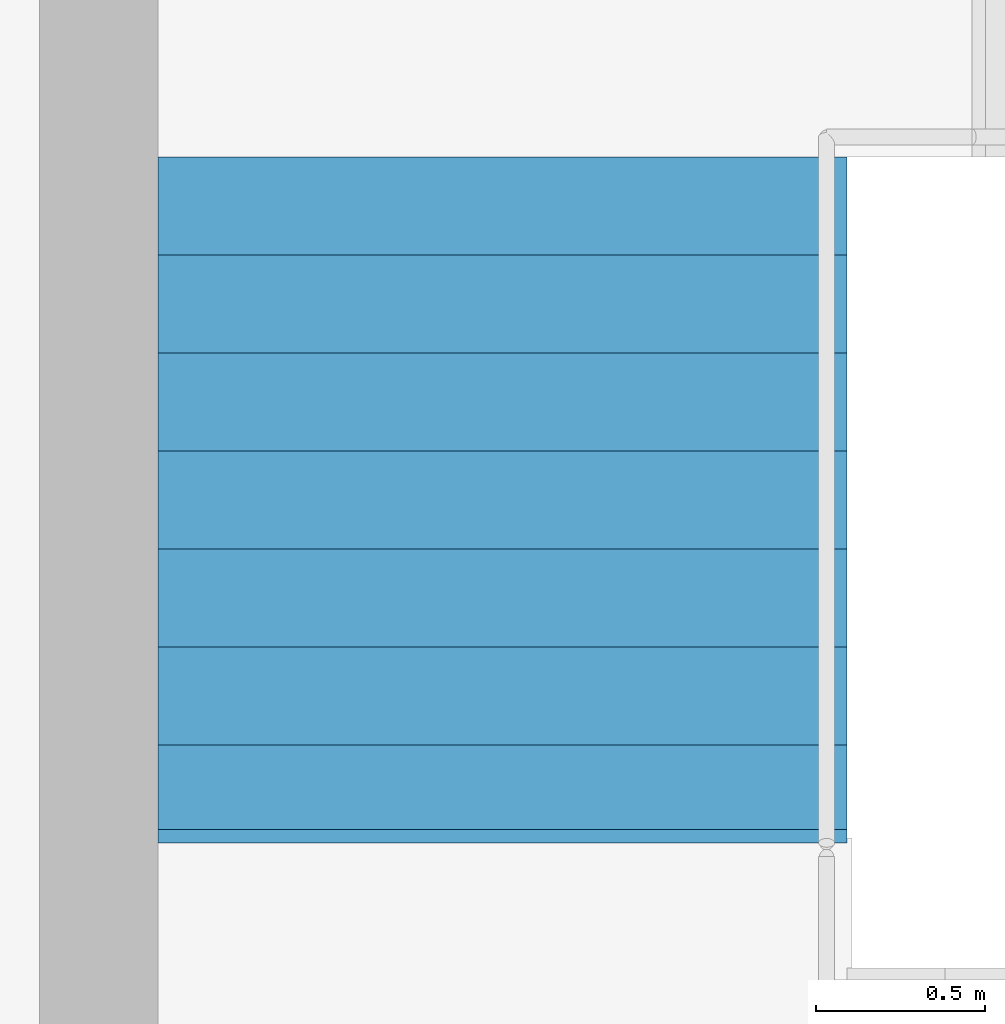
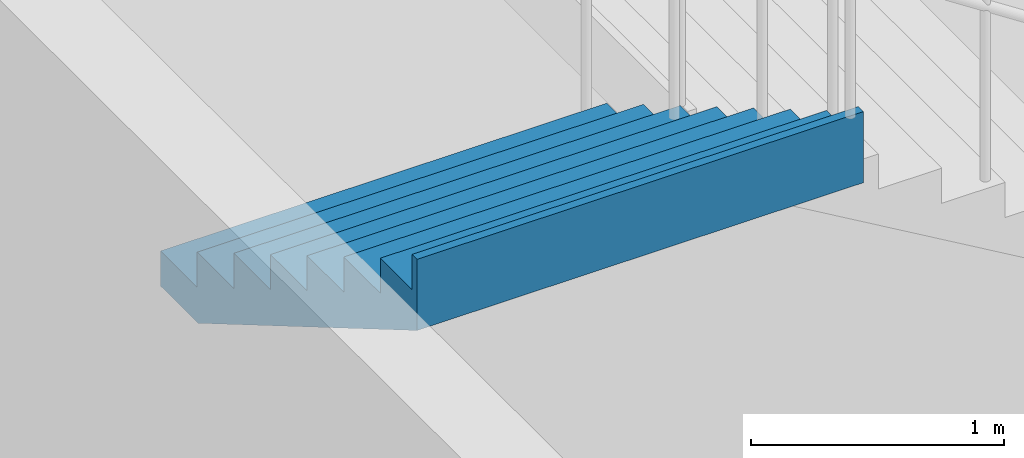
# One storey, part 58 of 74: 1 stair flight, 1 element without a shape of its own.
"""IFC4 building model written with IfcOpenShell, lengths in metres."""

from ifc_helpers import new_model, si_unit, direction, frame, origin, place, context, subcontext, project, spatial, triangles, material, type_object, element, aggregate, save


model = new_model("IFC4")

# Units and contexts
model_context = context("Model", 3, precision=1e-05, world=origin(), true_north=direction((0.0, 1.0)))
body_context = subcontext(model_context, "Body", "Model", "MODEL_VIEW")
ifc_project = project(units=[si_unit("LENGTHUNIT", "METRE"), si_unit("AREAUNIT", "SQUARE_METRE"), si_unit("VOLUMEUNIT", "CUBIC_METRE"), si_unit("PLANEANGLEUNIT", "RADIAN"), si_unit("MASSUNIT", "GRAM", prefix="KILO")], contexts=[model_context])

# Site, building, storey
site_placement = place(None, origin())
site = spatial("IfcSite", under=ifc_project, at=site_placement, CompositionType="ELEMENT")
building_placement = place(site_placement, origin())
building = spatial("IfcBuilding", under=site, at=building_placement, Name="Sillaruma Civic Art Gallery", CompositionType="ELEMENT")
storey_placement = place(building_placement, frame((0.0, 0.0, 5.43994140625)))
storey = spatial("IfcBuildingStorey", under=building, at=storey_placement, Name="L01", CompositionType="ELEMENT", Elevation=5.43994140625)

# Stair, stair flight
ifc_material = material(Name="Concrete H35 (35 MPa)", Category="concrete")
stair_type = type_object("IfcStairType", Name="STR-4F-32", PredefinedType="USERDEFINED", material=ifc_material)
stair_placement = place(storey_placement, origin())
stair = element("IfcStair", 1, at=stair_placement, inside=storey, type_object=stair_type, Name="Protected Exit Stair ST-02 (West Bar North) (L01)", ObjectType="THREE_RETURN_STAIR", PredefinedType="USERDEFINED")
stair_flight_type = type_object("IfcStairFlightType", Name="SFL-STR-8", PredefinedType="STRAIGHT", material=ifc_material)
stair_flight_placement = place(storey_placement, frame((63.780029296875, 85.35009765625, 4.080078125), z_axis=(0.0, 0.0, 1.0), x_axis=(0.0, -1.0, 0.0)))
stair_flight = element("IfcStairFlight", 2, at=stair_flight_placement, type_object=stair_flight_type, Name="ST-02 flight 4", NumberOfRisers=8, NumberOfTreads=7, PredefinedType="STRAIGHT", RiserHeight=0.17, TreadLength=0.29, context=body_context, shape_type="Tessellation", body=[
    triangles([(0.0, -1.02001953125, 0.0), (0.29, -1.02001953125, 0.0), (0.296443, -1.02001953125, 0.0), (0.58, -1.02001953125, 0.166223), (0.87, -1.02001953125, 0.336223), (1.16, -1.02001953125, 0.506223), (1.45, -1.02001953125, 0.676223), (1.74, -1.02001953125, 0.846223), (1.990029, -1.02001953125, 0.992792), (2.030029, -1.02001953125, 1.01624), (2.030029, -1.02001953125, 1.36), (1.990029, -1.02001953125, 1.36), (1.990029, -1.02001953125, 1.19), (1.74, -1.02001953125, 1.19), (1.74, -1.02001953125, 1.02), (1.45, -1.02001953125, 1.02), (1.45, -1.02001953125, 0.85), (1.16, -1.02001953125, 0.85), (1.16, -1.02001953125, 0.68), (0.87, -1.02001953125, 0.68), (0.87, -1.02001953125, 0.51), (0.58, -1.02001953125, 0.51), (0.58, -1.02001953125, 0.34), (0.296443, -1.02001953125, 0.34), (0.29, -1.02001953125, 0.34), (0.29, -1.02001953125, 0.17), (0.0, -1.02001953125, 0.17), (0.0, -0.05, 0.0), (0.29, -0.05, 0.0), (0.296443, -0.05, 0.0), (0.58, -0.05, 0.166223), (0.87, -0.05, 0.336223), (1.16, -0.05, 0.506223), (1.45, -0.05, 0.676223), (1.74, -0.05, 0.846223), (1.990029, -0.05, 0.992792), (2.030029, -0.05, 1.01624), (2.030029, -0.05, 1.36), (1.990029, -0.05, 1.36), (1.990029, -0.05, 1.19), (1.74, -0.05, 1.19), (1.74, -0.05, 1.02), (1.45, -0.05, 1.02), (1.45, -0.05, 0.85), (1.16, -0.05, 0.85), (1.16, -0.05, 0.68), (0.87, -0.05, 0.68), (0.87, -0.05, 0.51), (0.58, -0.05, 0.51), (0.58, -0.05, 0.34), (0.296443, -0.05, 0.34), (0.29, -0.05, 0.34), (0.29, -0.05, 0.17), (0.0, -0.05, 0.17), (0.0, -0.0375, 0.0), (0.29, -0.0375, 0.0), (0.296443, -0.0375, 0.0), (0.58, -0.0375, 0.166223), (0.87, -0.0375, 0.336223), (1.16, -0.0375, 0.506223), (1.45, -0.0375, 0.676223), (1.74, -0.0375, 0.846223), (1.990029, -0.0375, 0.992792), (2.030029, -0.0375, 1.01624), (2.030029, -0.0375, 1.36), (1.990029, -0.0375, 1.36), (1.990029, -0.0375, 1.19), (1.74, -0.0375, 1.19), (1.74, -0.0375, 1.02), (1.45, -0.0375, 1.02), (1.45, -0.0375, 0.85), (1.16, -0.0375, 0.85), (1.16, -0.0375, 0.68), (0.87, -0.0375, 0.68), (0.87, -0.0375, 0.51), (0.58, -0.0375, 0.51), (0.58, -0.0375, 0.34), (0.296443, -0.0375, 0.34), (0.29, -0.0375, 0.34), (0.29, -0.0375, 0.17), (0.0, -0.0375, 0.17), (0.0, -0.025, 0.0), (0.29, -0.025, 0.0), (0.296443, -0.025, 0.0), (0.58, -0.025, 0.166223), (0.87, -0.025, 0.336223), (1.16, -0.025, 0.506223), (1.45, -0.025, 0.676223), (1.74, -0.025, 0.846223), (1.990029, -0.025, 0.992792), (2.030029, -0.025, 1.01624), (2.030029, -0.025, 1.36), (1.990029, -0.025, 1.36), (1.990029, -0.025, 1.19), (1.74, -0.025, 1.19), (1.74, -0.025, 1.02), (1.45, -0.025, 1.02), (1.45, -0.025, 0.85), (1.16, -0.025, 0.85), (1.16, -0.025, 0.68), (0.87, -0.025, 0.68), (0.87, -0.025, 0.51), (0.58, -0.025, 0.51), (0.58, -0.025, 0.34), (0.296443, -0.025, 0.34), (0.29, -0.025, 0.34), (0.29, -0.025, 0.17), (0.0, -0.025, 0.17), (0.0, -0.0125, 0.0), (0.29, -0.0125, 0.0), (0.296443, -0.0125, 0.0), (0.58, -0.0125, 0.166223), (0.87, -0.0125, 0.336223), (1.16, -0.0125, 0.506223), (1.45, -0.0125, 0.676223), (1.74, -0.0125, 0.846223), (1.990029, -0.0125, 0.992792), (2.030029, -0.0125, 1.01624), (2.030029, -0.0125, 1.36), (1.990029, -0.0125, 1.36), (1.990029, -0.0125, 1.19), (1.74, -0.0125, 1.19), (1.74, -0.0125, 1.02), (1.45, -0.0125, 1.02), (1.45, -0.0125, 0.85), (1.16, -0.0125, 0.85), (1.16, -0.0125, 0.68), (0.87, -0.0125, 0.68), (0.87, -0.0125, 0.51), (0.58, -0.0125, 0.51), (0.58, -0.0125, 0.34), (0.296443, -0.0125, 0.34), (0.29, -0.0125, 0.34), (0.29, -0.0125, 0.17), (0.0, -0.0125, 0.17), (0.0, 0.0, 0.0), (0.29, 0.0, 0.0), (0.296443, 0.0, 0.0), (0.58, 0.0, 0.166223), (0.87, 0.0, 0.336223), (1.16, 0.0, 0.506223), (1.45, 0.0, 0.676223), (1.74, 0.0, 0.846223), (1.990029, 0.0, 0.992792), (2.030029, 0.0, 1.01624), (2.030029, 0.0, 1.36), (1.990029, 0.0, 1.36), (1.990029, 0.0, 1.19), (1.74, 0.0, 1.19), (1.74, 0.0, 1.02), (1.45, 0.0, 1.02), (1.45, 0.0, 0.85), (1.16, 0.0, 0.85), (1.16, 0.0, 0.68), (0.87, 0.0, 0.68), (0.87, 0.0, 0.51), (0.58, 0.0, 0.51), (0.58, 0.0, 0.34), (0.296443, 0.0, 0.34), (0.29, 0.0, 0.34), (0.29, 0.0, 0.17), (0.0, 0.0, 0.17), (0.0, 0.0125, 0.0), (0.29, 0.0125, 0.0), (0.296443, 0.0125, 0.0), (0.58, 0.0125, 0.166223), (0.87, 0.0125, 0.336223), (1.16, 0.0125, 0.506223), (1.45, 0.0125, 0.676223), (1.74, 0.0125, 0.846223), (1.990029, 0.0125, 0.992792), (2.030029, 0.0125, 1.01624), (2.030029, 0.0125, 1.36), (1.990029, 0.0125, 1.36), (1.990029, 0.0125, 1.19), (1.74, 0.0125, 1.19), (1.74, 0.0125, 1.02), (1.45, 0.0125, 1.02), (1.45, 0.0125, 0.85), (1.16, 0.0125, 0.85), (1.16, 0.0125, 0.68), (0.87, 0.0125, 0.68), (0.87, 0.0125, 0.51), (0.58, 0.0125, 0.51), (0.58, 0.0125, 0.34), (0.296443, 0.0125, 0.34), (0.29, 0.0125, 0.34), (0.29, 0.0125, 0.17), (0.0, 0.0125, 0.17), (0.0, 0.025, 0.0), (0.29, 0.025, 0.0), (0.296443, 0.025, 0.0), (0.58, 0.025, 0.166223), (0.87, 0.025, 0.336223), (1.16, 0.025, 0.506223), (1.45, 0.025, 0.676223), (1.74, 0.025, 0.846223), (1.990029, 0.025, 0.992792), (2.030029, 0.025, 1.01624), (2.030029, 0.025, 1.36), (1.990029, 0.025, 1.36), (1.990029, 0.025, 1.19), (1.74, 0.025, 1.19), (1.74, 0.025, 1.02), (1.45, 0.025, 1.02), (1.45, 0.025, 0.85), (1.16, 0.025, 0.85), (1.16, 0.025, 0.68), (0.87, 0.025, 0.68), (0.87, 0.025, 0.51), (0.58, 0.025, 0.51), (0.58, 0.025, 0.34), (0.296443, 0.025, 0.34), (0.29, 0.025, 0.34), (0.29, 0.025, 0.17), (0.0, 0.025, 0.17), (0.0, 0.0375, 0.0), (0.29, 0.0375, 0.0), (0.296443, 0.0375, 0.0), (0.58, 0.0375, 0.166223), (0.87, 0.0375, 0.336223), (1.16, 0.0375, 0.506223), (1.45, 0.0375, 0.676223), (1.74, 0.0375, 0.846223), (1.990029, 0.0375, 0.992792), (2.030029, 0.0375, 1.01624), (2.030029, 0.0375, 1.36), (1.990029, 0.0375, 1.36), (1.990029, 0.0375, 1.19), (1.74, 0.0375, 1.19), (1.74, 0.0375, 1.02), (1.45, 0.0375, 1.02), (1.45, 0.0375, 0.85), (1.16, 0.0375, 0.85), (1.16, 0.0375, 0.68), (0.87, 0.0375, 0.68), (0.87, 0.0375, 0.51), (0.58, 0.0375, 0.51), (0.58, 0.0375, 0.34), (0.296443, 0.0375, 0.34), (0.29, 0.0375, 0.34), (0.29, 0.0375, 0.17), (0.0, 0.0375, 0.17), (0.0, 0.05, 0.0), (0.29, 0.05, 0.0), (0.296443, 0.05, 0.0), (0.58, 0.05, 0.166223), (0.87, 0.05, 0.336223), (1.16, 0.05, 0.506223), (1.45, 0.05, 0.676223), (1.74, 0.05, 0.846223), (1.990029, 0.05, 0.992792), (2.030029, 0.05, 1.01624), (2.030029, 0.05, 1.36), (1.990029, 0.05, 1.36), (1.990029, 0.05, 1.19), (1.74, 0.05, 1.19), (1.74, 0.05, 1.02), (1.45, 0.05, 1.02), (1.45, 0.05, 0.85), (1.16, 0.05, 0.85), (1.16, 0.05, 0.68), (0.87, 0.05, 0.68), (0.87, 0.05, 0.51), (0.58, 0.05, 0.51), (0.58, 0.05, 0.34), (0.296443, 0.05, 0.34), (0.29, 0.05, 0.34), (0.29, 0.05, 0.17), (0.0, 0.05, 0.17), (0.0, 1.02001953125, 0.0), (0.29, 1.02001953125, 0.0), (0.296443, 1.02001953125, 0.0), (0.58, 1.02001953125, 0.166223), (0.87, 1.02001953125, 0.336223), (1.16, 1.02001953125, 0.506223), (1.45, 1.02001953125, 0.676223), (1.74, 1.02001953125, 0.846223), (1.990029, 1.02001953125, 0.992792), (2.030029, 1.02001953125, 1.01624), (2.030029, 1.02001953125, 1.36), (1.990029, 1.02001953125, 1.36), (1.990029, 1.02001953125, 1.19), (1.74, 1.02001953125, 1.19), (1.74, 1.02001953125, 1.02), (1.45, 1.02001953125, 1.02), (1.45, 1.02001953125, 0.85), (1.16, 1.02001953125, 0.85), (1.16, 1.02001953125, 0.68), (0.87, 1.02001953125, 0.68), (0.87, 1.02001953125, 0.51), (0.58, 1.02001953125, 0.51), (0.58, 1.02001953125, 0.34), (0.296443, 1.02001953125, 0.34), (0.29, 1.02001953125, 0.34), (0.29, 1.02001953125, 0.17), (0.0, 1.02001953125, 0.17)], [[1, 2, 26], [1, 26, 27], [2, 3, 24], [2, 24, 26], [26, 24, 25], [3, 4, 23], [3, 23, 24], [4, 5, 21], [4, 21, 23], [23, 21, 22], [5, 6, 19], [5, 19, 21], [21, 19, 20], [6, 7, 17], [6, 17, 19], [19, 17, 18], [7, 8, 15], [7, 15, 17], [17, 15, 16], [8, 9, 13], [8, 13, 15], [15, 13, 14], [9, 10, 11], [9, 11, 13], [13, 11, 12], [296, 272, 271], [297, 296, 271], [294, 273, 272], [296, 294, 272], [295, 294, 296], [293, 274, 273], [294, 293, 273], [291, 275, 274], [293, 291, 274], [292, 291, 293], [289, 276, 275], [291, 289, 275], [290, 289, 291], [287, 277, 276], [289, 287, 276], [288, 287, 289], [285, 278, 277], [287, 285, 277], [286, 285, 287], [283, 279, 278], [285, 283, 278], [284, 283, 285], [281, 280, 279], [283, 281, 279], [282, 281, 283], [2, 1, 28], [2, 28, 29], [3, 2, 29], [3, 29, 30], [4, 3, 30], [4, 30, 31], [5, 4, 31], [5, 31, 32], [6, 5, 32], [6, 32, 33], [7, 6, 33], [7, 33, 34], [8, 7, 34], [8, 34, 35], [9, 8, 35], [9, 35, 36], [10, 9, 36], [10, 36, 37], [11, 10, 37], [11, 37, 38], [12, 11, 38], [12, 38, 39], [13, 12, 39], [13, 39, 40], [14, 13, 40], [14, 40, 41], [15, 14, 41], [15, 41, 42], [16, 15, 42], [16, 42, 43], [17, 16, 43], [17, 43, 44], [18, 17, 44], [18, 44, 45], [19, 18, 45], [19, 45, 46], [20, 19, 46], [20, 46, 47], [21, 20, 47], [21, 47, 48], [22, 21, 48], [22, 48, 49], [23, 22, 49], [23, 49, 50], [24, 23, 50], [24, 50, 51], [25, 24, 51], [25, 51, 52], [26, 25, 52], [26, 52, 53], [27, 26, 53], [27, 53, 54], [1, 27, 54], [1, 54, 28], [29, 28, 55], [29, 55, 56], [30, 29, 56], [30, 56, 57], [31, 30, 57], [31, 57, 58], [32, 31, 58], [32, 58, 59], [33, 32, 59], [33, 59, 60], [34, 33, 60], [34, 60, 61], [35, 34, 61], [35, 61, 62], [36, 35, 62], [36, 62, 63], [37, 36, 63], [37, 63, 64], [38, 37, 64], [38, 64, 65], [39, 38, 65], [39, 65, 66], [40, 39, 66], [40, 66, 67], [41, 40, 67], [41, 67, 68], [42, 41, 68], [42, 68, 69], [43, 42, 69], [43, 69, 70], [44, 43, 70], [44, 70, 71], [45, 44, 71], [45, 71, 72], [46, 45, 72], [46, 72, 73], [47, 46, 73], [47, 73, 74], [48, 47, 74], [48, 74, 75], [49, 48, 75], [49, 75, 76], [50, 49, 76], [50, 76, 77], [51, 50, 77], [51, 77, 78], [52, 51, 78], [52, 78, 79], [53, 52, 79], [53, 79, 80], [54, 53, 80], [54, 80, 81], [28, 54, 81], [28, 81, 55], [56, 55, 82], [56, 82, 83], [57, 56, 83], [57, 83, 84], [58, 57, 84], [58, 84, 85], [59, 58, 85], [59, 85, 86], [60, 59, 86], [60, 86, 87], [61, 60, 87], [61, 87, 88], [62, 61, 88], [62, 88, 89], [63, 62, 89], [63, 89, 90], [64, 63, 90], [64, 90, 91], [65, 64, 91], [65, 91, 92], [66, 65, 92], [66, 92, 93], [67, 66, 93], [67, 93, 94], [68, 67, 94], [68, 94, 95], [69, 68, 95], [69, 95, 96], [70, 69, 96], [70, 96, 97], [71, 70, 97], [71, 97, 98], [72, 71, 98], [72, 98, 99], [73, 72, 99], [73, 99, 100], [74, 73, 100], [74, 100, 101], [75, 74, 101], [75, 101, 102], [76, 75, 102], [76, 102, 103], [77, 76, 103], [77, 103, 104], [78, 77, 104], [78, 104, 105], [79, 78, 105], [79, 105, 106], [80, 79, 106], [80, 106, 107], [81, 80, 107], [81, 107, 108], [55, 81, 108], [55, 108, 82], [83, 82, 109], [83, 109, 110], [84, 83, 110], [84, 110, 111], [85, 84, 111], [85, 111, 112], [86, 85, 112], [86, 112, 113], [87, 86, 113], [87, 113, 114], [88, 87, 114], [88, 114, 115], [89, 88, 115], [89, 115, 116], [90, 89, 116], [90, 116, 117], [91, 90, 117], [91, 117, 118], [92, 91, 118], [92, 118, 119], [93, 92, 119], [93, 119, 120], [94, 93, 120], [94, 120, 121], [95, 94, 121], [95, 121, 122], [96, 95, 122], [96, 122, 123], [97, 96, 123], [97, 123, 124], [98, 97, 124], [98, 124, 125], [99, 98, 125], [99, 125, 126], [100, 99, 126], [100, 126, 127], [101, 100, 127], [101, 127, 128], [102, 101, 128], [102, 128, 129], [103, 102, 129], [103, 129, 130], [104, 103, 130], [104, 130, 131], [105, 104, 131], [105, 131, 132], [106, 105, 132], [106, 132, 133], [107, 106, 133], [107, 133, 134], [108, 107, 134], [108, 134, 135], [82, 108, 135], [82, 135, 109], [110, 109, 136], [110, 136, 137], [111, 110, 137], [111, 137, 138], [112, 111, 138], [112, 138, 139], [113, 112, 139], [113, 139, 140], [114, 113, 140], [114, 140, 141], [115, 114, 141], [115, 141, 142], [116, 115, 142], [116, 142, 143], [117, 116, 143], [117, 143, 144], [118, 117, 144], [118, 144, 145], [119, 118, 145], [119, 145, 146], [120, 119, 146], [120, 146, 147], [121, 120, 147], [121, 147, 148], [122, 121, 148], [122, 148, 149], [123, 122, 149], [123, 149, 150], [124, 123, 150], [124, 150, 151], [125, 124, 151], [125, 151, 152], [126, 125, 152], [126, 152, 153], [127, 126, 153], [127, 153, 154], [128, 127, 154], [128, 154, 155], [129, 128, 155], [129, 155, 156], [130, 129, 156], [130, 156, 157], [131, 130, 157], [131, 157, 158], [132, 131, 158], [132, 158, 159], [133, 132, 159], [133, 159, 160], [134, 133, 160], [134, 160, 161], [135, 134, 161], [135, 161, 162], [109, 135, 162], [109, 162, 136], [137, 136, 163], [137, 163, 164], [138, 137, 164], [138, 164, 165], [139, 138, 165], [139, 165, 166], [140, 139, 166], [140, 166, 167], [141, 140, 167], [141, 167, 168], [142, 141, 168], [142, 168, 169], [143, 142, 169], [143, 169, 170], [144, 143, 170], [144, 170, 171], [145, 144, 171], [145, 171, 172], [146, 145, 172], [146, 172, 173], [147, 146, 173], [147, 173, 174], [148, 147, 174], [148, 174, 175], [149, 148, 175], [149, 175, 176], [150, 149, 176], [150, 176, 177], [151, 150, 177], [151, 177, 178], [152, 151, 178], [152, 178, 179], [153, 152, 179], [153, 179, 180], [154, 153, 180], [154, 180, 181], [155, 154, 181], [155, 181, 182], [156, 155, 182], [156, 182, 183], [157, 156, 183], [157, 183, 184], [158, 157, 184], [158, 184, 185], [159, 158, 185], [159, 185, 186], [160, 159, 186], [160, 186, 187], [161, 160, 187], [161, 187, 188], [162, 161, 188], [162, 188, 189], [136, 162, 189], [136, 189, 163], [164, 163, 190], [164, 190, 191], [165, 164, 191], [165, 191, 192], [166, 165, 192], [166, 192, 193], [167, 166, 193], [167, 193, 194], [168, 167, 194], [168, 194, 195], [169, 168, 195], [169, 195, 196], [170, 169, 196], [170, 196, 197], [171, 170, 197], [171, 197, 198], [172, 171, 198], [172, 198, 199], [173, 172, 199], [173, 199, 200], [174, 173, 200], [174, 200, 201], [175, 174, 201], [175, 201, 202], [176, 175, 202], [176, 202, 203], [177, 176, 203], [177, 203, 204], [178, 177, 204], [178, 204, 205], [179, 178, 205], [179, 205, 206], [180, 179, 206], [180, 206, 207], [181, 180, 207], [181, 207, 208], [182, 181, 208], [182, 208, 209], [183, 182, 209], [183, 209, 210], [184, 183, 210], [184, 210, 211], [185, 184, 211], [185, 211, 212], [186, 185, 212], [186, 212, 213], [187, 186, 213], [187, 213, 214], [188, 187, 214], [188, 214, 215], [189, 188, 215], [189, 215, 216], [163, 189, 216], [163, 216, 190], [191, 190, 217], [191, 217, 218], [192, 191, 218], [192, 218, 219], [193, 192, 219], [193, 219, 220], [194, 193, 220], [194, 220, 221], [195, 194, 221], [195, 221, 222], [196, 195, 222], [196, 222, 223], [197, 196, 223], [197, 223, 224], [198, 197, 224], [198, 224, 225], [199, 198, 225], [199, 225, 226], [200, 199, 226], [200, 226, 227], [201, 200, 227], [201, 227, 228], [202, 201, 228], [202, 228, 229], [203, 202, 229], [203, 229, 230], [204, 203, 230], [204, 230, 231], [205, 204, 231], [205, 231, 232], [206, 205, 232], [206, 232, 233], [207, 206, 233], [207, 233, 234], [208, 207, 234], [208, 234, 235], [209, 208, 235], [209, 235, 236], [210, 209, 236], [210, 236, 237], [211, 210, 237], [211, 237, 238], [212, 211, 238], [212, 238, 239], [213, 212, 239], [213, 239, 240], [214, 213, 240], [214, 240, 241], [215, 214, 241], [215, 241, 242], [216, 215, 242], [216, 242, 243], [190, 216, 243], [190, 243, 217], [218, 217, 244], [218, 244, 245], [219, 218, 245], [219, 245, 246], [220, 219, 246], [220, 246, 247], [221, 220, 247], [221, 247, 248], [222, 221, 248], [222, 248, 249], [223, 222, 249], [223, 249, 250], [224, 223, 250], [224, 250, 251], [225, 224, 251], [225, 251, 252], [226, 225, 252], [226, 252, 253], [227, 226, 253], [227, 253, 254], [228, 227, 254], [228, 254, 255], [229, 228, 255], [229, 255, 256], [230, 229, 256], [230, 256, 257], [231, 230, 257], [231, 257, 258], [232, 231, 258], [232, 258, 259], [233, 232, 259], [233, 259, 260], [234, 233, 260], [234, 260, 261], [235, 234, 261], [235, 261, 262], [236, 235, 262], [236, 262, 263], [237, 236, 263], [237, 263, 264], [238, 237, 264], [238, 264, 265], [239, 238, 265], [239, 265, 266], [240, 239, 266], [240, 266, 267], [241, 240, 267], [241, 267, 268], [242, 241, 268], [242, 268, 269], [243, 242, 269], [243, 269, 270], [217, 243, 270], [217, 270, 244], [245, 244, 271], [245, 271, 272], [246, 245, 272], [246, 272, 273], [247, 246, 273], [247, 273, 274], [248, 247, 274], [248, 274, 275], [249, 248, 275], [249, 275, 276], [250, 249, 276], [250, 276, 277], [251, 250, 277], [251, 277, 278], [252, 251, 278], [252, 278, 279], [253, 252, 279], [253, 279, 280], [254, 253, 280], [254, 280, 281], [255, 254, 281], [255, 281, 282], [256, 255, 282], [256, 282, 283], [257, 256, 283], [257, 283, 284], [258, 257, 284], [258, 284, 285], [259, 258, 285], [259, 285, 286], [260, 259, 286], [260, 286, 287], [261, 260, 287], [261, 287, 288], [262, 261, 288], [262, 288, 289], [263, 262, 289], [263, 289, 290], [264, 263, 290], [264, 290, 291], [265, 264, 291], [265, 291, 292], [266, 265, 292], [266, 292, 293], [267, 266, 293], [267, 293, 294], [268, 267, 294], [268, 294, 295], [269, 268, 295], [269, 295, 296], [270, 269, 296], [270, 296, 297], [244, 270, 297], [244, 297, 271]], closed=True),
])
aggregate(stair, [stair_flight])

save(model, "model.ifc")
